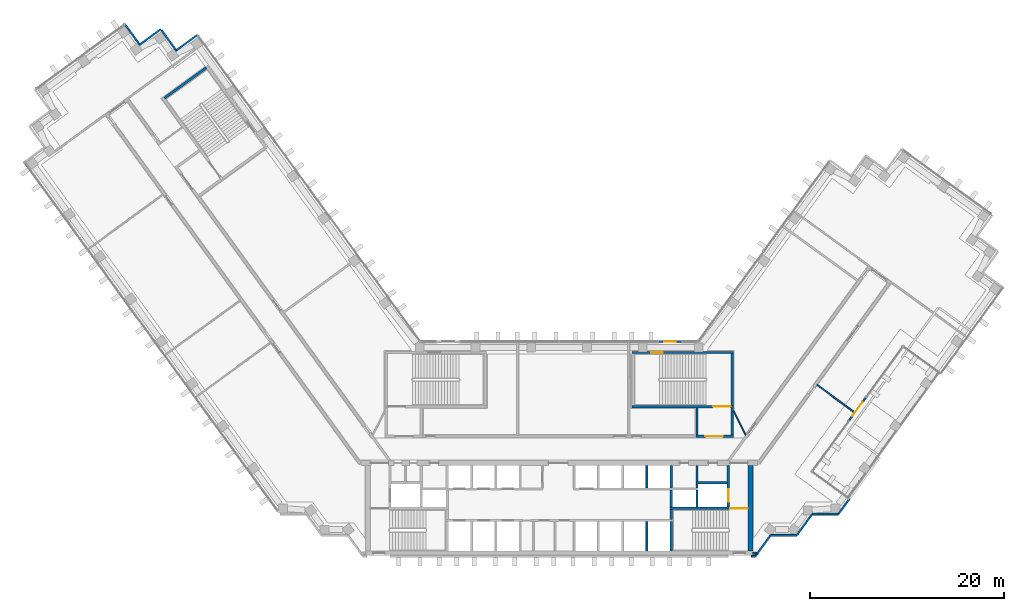
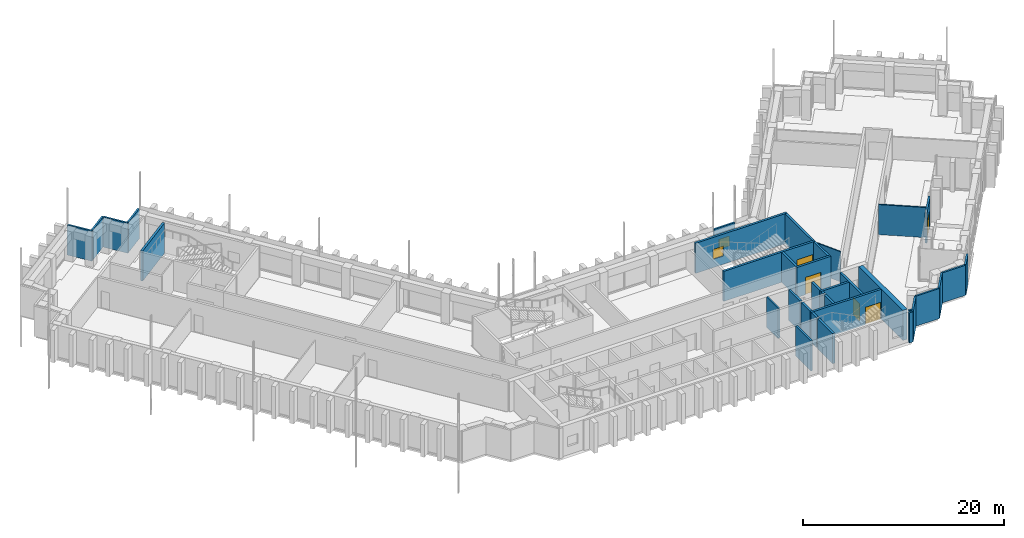
# One storey, part 12 of 17: 35 walls, 5 doors, 2 windows, 7 openings.
"""IFC4 building model written with IfcOpenShell, lengths in metres."""

from ifc_helpers import new_model, si_unit, direction, frame, frame_2d, origin, place, context, subcontext, project, spatial, rectangle, extrude, material, layer, layer_set, type_object, element, fill, save


model = new_model("IFC4")

# Units and contexts
model_context = context("Model", 3, precision=1e-05, world=origin(), true_north=direction((0.0, 1.0)))
body_context = subcontext(model_context, "Body", "Model", "MODEL_VIEW")
ifc_project = project(units=[si_unit("LENGTHUNIT", "METRE"), si_unit("AREAUNIT", "SQUARE_METRE"), si_unit("VOLUMEUNIT", "CUBIC_METRE"), si_unit("PLANEANGLEUNIT", "RADIAN"), si_unit("MASSUNIT", "GRAM", prefix="KILO")], contexts=[model_context])

# Site, building, storey
site_placement = place(None, origin())
site = spatial("IfcSite", under=ifc_project, at=site_placement, CompositionType="ELEMENT")
building_placement = place(site_placement, origin())
building = spatial("IfcBuilding", under=site, at=building_placement, Name="Quipu Civic Tower", CompositionType="ELEMENT")
storey_placement = place(building_placement, frame((0.0, 0.0, 101.0)))
storey = spatial("IfcBuildingStorey", under=building, at=storey_placement, Name="L23", CompositionType="ELEMENT", Elevation=101.0)

# Walls
ifc_material_1 = material(Name="Double gypsum plasterboard with mineral wool")
ifc_layer_1 = layer(ifc_material_1, 0.14990234375)
ifc_layer_set_1 = layer_set([ifc_layer_1], Name="Double gypsum plasterboard with mineral wool")
wall_type_1 = type_object("IfcWallType", Name="Acoustic partition 150 plasterboard", PredefinedType="PARTITIONING", material=ifc_layer_set_1)
wall_1_placement = place(storey_placement, frame((26.618896484375, 6.643310546875, 0.0), z_axis=(0.0, 0.0, 1.0), x_axis=(0.805845547864, -0.592125791524, 0.0)))
element("IfcWall", 1, at=wall_1_placement, inside=storey, type_object=wall_type_1, Name="Partition P03", PredefinedType="PARTITIONING", context=body_context, shape_type="SweptSolid", body=[
    extrude(rectangle(XDim=4.72021484375, YDim=0.14990234375, at=frame_2d((2.360107421875, 0.0))), origin(), (0.0, 0.0, 1.0), 3.64990234375),
])
ifc_material_2 = material(Name="Concrete C70/85", Category="concrete")
ifc_layer_2 = layer(ifc_material_2, 0.25)
ifc_layer_set_2 = layer_set([ifc_layer_2], Name="Concrete C70/85")
wall_type_2 = type_object("IfcWallType", Name="Core wall 250", PredefinedType="SHEAR", material=ifc_layer_set_2)
wall_2_placement = place(storey_placement, frame((11.574951171875, -10.5, 0.0), z_axis=(0.0, 0.0, 1.0), x_axis=(0.0, 1.0, 0.0)))
element("IfcWall", 2, at=wall_2_placement, inside=storey, type_object=wall_type_2, Name="Core wall", PredefinedType="SHEAR", context=body_context, shape_type="SweptSolid", body=[
    extrude(rectangle(XDim=3.0, YDim=0.25, at=frame_2d((1.5, 0.0))), origin(), (0.0, 0.0, 1.0), 3.64990234375),
])
wall_3_placement = place(storey_placement, frame((11.574951171875, -7.25, 0.0), z_axis=(0.0, 0.0, 1.0), x_axis=(0.0, 1.0, 0.0)))
element("IfcWall", 3, at=wall_3_placement, inside=storey, type_object=wall_type_2, Name="Core wall", PredefinedType="SHEAR", context=body_context, shape_type="SweptSolid", body=[
    extrude(rectangle(XDim=1.0, YDim=0.25, at=frame_2d((0.5, 0.0))), origin(), (0.0, 0.0, 1.0), 3.64990234375),
])

# Wall, opening, door
wall_4_placement = place(storey_placement, frame((19.5, -6.125, 0.0), z_axis=(0.0, 0.0, 1.0), x_axis=(-1.0, 0.0, 0.0)))
wall_4 = element("IfcWall", 4, at=wall_4_placement, inside=storey, type_object=wall_type_2, Name="Core wall", PredefinedType="SHEAR", context=body_context, shape_type="SweptSolid", body=[
    extrude(rectangle(XDim=8.050048828125, YDim=0.25, at=frame_2d((4.02490234375, 0.0))), origin(), (0.0, 0.0, 1.0), 3.64990234375),
])
opening_1_placement = place(wall_4_placement, frame((0.050048828125, 0.0, 0.0)))
opening_1 = element("IfcOpeningElement", 5, at=opening_1_placement, cuts=wall_4, Name="Opening CD-05", PredefinedType="OPENING", context=body_context, shape_type="SweptSolid", body=[
    extrude(rectangle(XDim=1.800048828125, YDim=2.10009765625, at=frame_2d((0.89990234375, 1.050048828125))), frame((0.0, 0.135009765625, 0.0), z_axis=(0.0, -1.0, 0.0), x_axis=(1.0, 0.0, 0.0)), (0.0, 0.0, 1.0), 0.27001953125),
])
ifc_material_3 = material(Name="Fire rated steel door", Category="steel")
door_type_1 = type_object("IfcDoorType", Name="Fire door FD90 double 1800 x 2100", OperationType="NOTDEFINED", PredefinedType="DOOR", material=ifc_material_3)
door_1_placement = place(opening_1_placement, origin())
door_1 = element("IfcDoor", 6, at=door_1_placement, inside=storey, type_object=door_type_1, Name="Door", OperationType="DOUBLE_DOOR_SINGLE_SWING", OverallHeight=2.10009765625, OverallWidth=1.800048828125, PredefinedType="DOOR", context=body_context, shape_type="SweptSolid", body=[
    extrude(rectangle(XDim=1.800048828125, YDim=2.10009765625, at=frame_2d((0.89990234375, 1.050048828125))), frame((0.0, 0.02490234375, 0.0), z_axis=(0.0, -1.0, 0.0), x_axis=(1.0, 0.0, 0.0)), (0.0, 0.0, 1.0), 0.050048828125),
])
fill(opening_1, door_1)

# Walls
for number, where, z_axis, x_axis, name in (
    (7, (11.574951171875, -6.0, 0.0), (0.0, 0.0, 1.0), (0.0, 1.0, 0.0), "Core wall"),
    (8, (14.22509765625, -6.0, 0.0), (0.0, 0.0, 1.0), (0.0, 1.0, 0.0), "Core wall"),
):
    element("IfcWall", number, at=place(storey_placement, frame(where, z_axis=z_axis, x_axis=x_axis)), inside=storey, type_object=wall_type_2, Name=name, PredefinedType="SHEAR", context=body_context, shape_type="SweptSolid", body=[
        extrude(rectangle(XDim=1.75, YDim=0.25, at=frame_2d((0.875, 0.0))), origin(), (0.0, 0.0, 1.0), 3.64990234375),
    ])

# Wall, opening, door
wall_5_placement = place(storey_placement, frame((17.47509765625, -6.0, 0.0), z_axis=(0.0, 0.0, 1.0), x_axis=(0.0, 1.0, 0.0)))
wall_5 = element("IfcWall", 9, at=wall_5_placement, inside=storey, type_object=wall_type_2, Name="Core wall", PredefinedType="SHEAR", context=body_context, shape_type="SweptSolid", body=[
    extrude(rectangle(XDim=4.300048828125, YDim=0.25, at=frame_2d((2.14990234375, 0.0))), origin(), (0.0, 0.0, 1.0), 3.64990234375),
])
opening_2_placement = place(wall_5_placement, frame((0.550048828125, 0.0, 0.0)))
opening_2 = element("IfcOpeningElement", 10, at=opening_2_placement, cuts=wall_5, Name="Opening LD-FF2", PredefinedType="OPENING", context=body_context, shape_type="SweptSolid", body=[
    extrude(rectangle(XDim=1.300048828125, YDim=2.10009765625, at=frame_2d((0.64990234375, 1.050048828125))), frame((0.0, 0.135009765625, 0.0), z_axis=(0.0, -1.0, 0.0), x_axis=(1.0, 0.0, 0.0)), (0.0, 0.0, 1.0), 0.27001953125),
])
ifc_material_4 = material(Name="Stainless steel", Category="steel")
door_type_2 = type_object("IfcDoorType", Name="Lift landing door 1300 x 2100", OperationType="DOUBLE_DOOR_SLIDING", PredefinedType="DOOR", material=ifc_material_4)
door_2_placement = place(opening_2_placement, origin())
door_2 = element("IfcDoor", 11, at=door_2_placement, inside=storey, type_object=door_type_2, Name="Landing door FF2", OperationType="DOUBLE_DOOR_SLIDING", OverallHeight=2.10009765625, OverallWidth=1.300048828125, PredefinedType="DOOR", context=body_context, shape_type="SweptSolid", body=[
    extrude(rectangle(XDim=1.300048828125, YDim=2.10009765625, at=frame_2d((0.64990234375, 1.050048828125))), frame((0.0, 0.02490234375, 0.0), z_axis=(0.0, -1.0, 0.0), x_axis=(1.0, 0.0, 0.0)), (0.0, 0.0, 1.0), 0.050048828125),
])
fill(opening_2, door_2)

# Walls
wall_6_placement = place(storey_placement, frame((11.574951171875, -4.0, 0.0), z_axis=(0.0, 0.0, 1.0), x_axis=(0.0, 1.0, 0.0)))
element("IfcWall", 12, at=wall_6_placement, inside=storey, type_object=wall_type_2, Name="Core wall", PredefinedType="SHEAR", context=body_context, shape_type="SweptSolid", body=[
    extrude(rectangle(XDim=2.300048828125, YDim=0.25, at=frame_2d((1.14990234375, 0.0))), origin(), (0.0, 0.0, 1.0), 3.64990234375),
])
wall_7_placement = place(storey_placement, frame((14.22509765625, -4.0, 0.0), z_axis=(0.0, 0.0, 1.0), x_axis=(0.0, 1.0, 0.0)))
element("IfcWall", 13, at=wall_7_placement, inside=storey, type_object=wall_type_2, Name="Core wall", PredefinedType="SHEAR", context=body_context, shape_type="SweptSolid", body=[
    extrude(rectangle(XDim=0.39990234375, YDim=0.25, at=frame_2d((0.199951171875, 0.0))), origin(), (0.0, 0.0, 1.0), 3.64990234375),
])
wall_8_placement = place(storey_placement, frame((14.10009765625, -3.47509765625, 0.0), z_axis=(0.0, 0.0, 1.0), x_axis=(1.0, 0.0, 0.0)))
element("IfcWall", 14, at=wall_8_placement, inside=storey, type_object=wall_type_2, Name="Core wall", PredefinedType="SHEAR", context=body_context, shape_type="SweptSolid", body=[
    extrude(rectangle(XDim=3.25, YDim=0.25, at=frame_2d((1.625, 0.0))), origin(), (0.0, 0.0, 1.0), 3.64990234375),
])
wall_9_placement = place(storey_placement, frame((14.22509765625, -3.35009765625, 0.0), z_axis=(0.0, 0.0, 1.0), x_axis=(0.0, 1.0, 0.0)))
element("IfcWall", 15, at=wall_9_placement, inside=storey, type_object=wall_type_2, Name="Core wall", PredefinedType="SHEAR", context=body_context, shape_type="SweptSolid", body=[
    extrude(rectangle(XDim=1.650146484375, YDim=0.25, at=frame_2d((0.8251953125, 0.0))), origin(), (0.0, 0.0, 1.0), 3.64990234375),
])

# Wall, opening, door
wall_10_placement = place(storey_placement, frame((14.10009765625, 1.324951171875, 0.0), z_axis=(0.0, 0.0, 1.0), x_axis=(1.0, 0.0, 0.0)))
wall_10 = element("IfcWall", 16, at=wall_10_placement, inside=storey, type_object=wall_type_2, Name="Core wall", PredefinedType="SHEAR", context=body_context, shape_type="SweptSolid", body=[
    extrude(rectangle(XDim=3.89990234375, YDim=0.25, at=frame_2d((1.949951171875, 0.0))), origin(), (0.0, 0.0, 1.0), 3.64990234375),
])
opening_3_placement = place(wall_10_placement, frame((1.0, 0.0, 0.0)))
opening_3 = element("IfcOpeningElement", 17, at=opening_3_placement, cuts=wall_10, Name="Opening CD-17", PredefinedType="OPENING", context=body_context, shape_type="SweptSolid", body=[
    extrude(rectangle(XDim=1.800048828125, YDim=2.10009765625, at=frame_2d((0.89990234375, 1.050048828125))), frame((0.0, 0.135009765625, 0.0), z_axis=(0.0, -1.0, 0.0), x_axis=(1.0, 0.0, 0.0)), (0.0, 0.0, 1.0), 0.27001953125),
])
door_3_placement = place(opening_3_placement, origin())
door_3 = element("IfcDoor", 18, at=door_3_placement, inside=storey, type_object=door_type_1, Name="Lobby door", OperationType="DOUBLE_DOOR_SINGLE_SWING", OverallHeight=2.10009765625, OverallWidth=1.800048828125, PredefinedType="DOOR", context=body_context, shape_type="SweptSolid", body=[
    extrude(rectangle(XDim=1.800048828125, YDim=2.10009765625, at=frame_2d((0.89990234375, 1.050048828125))), frame((0.0, 0.02490234375, 0.0), z_axis=(0.0, -1.0, 0.0), x_axis=(1.0, 0.0, 0.0)), (0.0, 0.0, 1.0), 0.050048828125),
])
fill(opening_3, door_3)

# Walls
for number, where, z_axis, x_axis, name in (
    (19, (14.22509765625, 1.449951171875, 0.0), (0.0, 0.0, 1.0), (0.0, 1.0, 0.0), "Core wall"),
    (20, (17.875, 1.449951171875, 0.0), (0.0, 0.0, 1.0), (0.0, 1.0, 0.0), "Core wall"),
):
    element("IfcWall", number, at=place(storey_placement, frame(where, z_axis=z_axis, x_axis=x_axis)), inside=storey, type_object=wall_type_2, Name=name, PredefinedType="SHEAR", context=body_context, shape_type="SweptSolid", body=[
        extrude(rectangle(XDim=2.800048828125, YDim=0.25, at=frame_2d((1.39990234375, 0.0))), origin(), (0.0, 0.0, 1.0), 3.64990234375),
    ])

# Wall, opening, door
wall_11_placement = place(storey_placement, frame((7.5, 4.375, 0.0), z_axis=(0.0, 0.0, 1.0), x_axis=(1.0, 0.0, 0.0)))
wall_11 = element("IfcWall", 21, at=wall_11_placement, inside=storey, type_object=wall_type_2, Name="Core wall", PredefinedType="SHEAR", context=body_context, shape_type="SweptSolid", body=[
    extrude(rectangle(XDim=10.5, YDim=0.25, at=frame_2d((5.25, 0.0))), origin(), (0.0, 0.0, 1.0), 3.64990234375),
])
opening_4_placement = place(wall_11_placement, frame((8.39990234375, 0.0, 0.0)))
opening_4 = element("IfcOpeningElement", 22, at=opening_4_placement, cuts=wall_11, Name="Opening CD-18", PredefinedType="OPENING", context=body_context, shape_type="SweptSolid", body=[
    extrude(rectangle(XDim=1.800048828125, YDim=2.10009765625, at=frame_2d((0.89990234375, 1.050048828125))), frame((0.0, 0.135009765625, 0.0), z_axis=(0.0, -1.0, 0.0), x_axis=(1.0, 0.0, 0.0)), (0.0, 0.0, 1.0), 0.27001953125),
])
door_4_placement = place(opening_4_placement, origin())
door_4 = element("IfcDoor", 23, at=door_4_placement, inside=storey, type_object=door_type_1, Name="Door", OperationType="DOUBLE_DOOR_SINGLE_SWING", OverallHeight=2.10009765625, OverallWidth=1.800048828125, PredefinedType="DOOR", context=body_context, shape_type="SweptSolid", body=[
    extrude(rectangle(XDim=1.800048828125, YDim=2.10009765625, at=frame_2d((0.89990234375, 1.050048828125))), frame((0.0, 0.02490234375, 0.0), z_axis=(0.0, -1.0, 0.0), x_axis=(1.0, 0.0, 0.0)), (0.0, 0.0, 1.0), 0.050048828125),
])
fill(opening_4, door_4)

# Wall
wall_12_placement = place(storey_placement, frame((17.875, 4.5, 0.0), z_axis=(0.0, 0.0, 1.0), x_axis=(0.0, 1.0, 0.0)))
element("IfcWall", 24, at=wall_12_placement, inside=storey, type_object=wall_type_2, Name="Core wall", PredefinedType="SHEAR", context=body_context, shape_type="SweptSolid", body=[
    extrude(rectangle(XDim=5.35009765625, YDim=0.25, at=frame_2d((2.675048828125, 0.0))), origin(), (0.0, 0.0, 1.0), 3.64990234375),
])

# Wall, opening, window
wall_13_placement = place(storey_placement, frame((7.5, 9.97509765625, 0.0), z_axis=(0.0, 0.0, 1.0), x_axis=(1.0, 0.0, 0.0)))
wall_13 = element("IfcWall", 25, at=wall_13_placement, inside=storey, type_object=wall_type_2, Name="Core wall", PredefinedType="SHEAR", context=body_context, shape_type="SweptSolid", body=[
    extrude(rectangle(XDim=10.5, YDim=0.25, at=frame_2d((5.25, 0.0))), origin(), (0.0, 0.0, 1.0), 3.64990234375),
])
opening_5_placement = place(wall_13_placement, frame((2.0, 0.0, 1.0)))
opening_5 = element("IfcOpeningElement", 26, at=opening_5_placement, cuts=wall_13, Name="Opening SV-4", PredefinedType="OPENING", context=body_context, shape_type="SweptSolid", body=[
    extrude(rectangle(XDim=1.199951171875, YDim=1.199951171875, at=frame_2d((0.60009765625, 0.60009765625))), frame((0.0, 0.135009765625, 0.0), z_axis=(0.0, -1.0, 0.0), x_axis=(1.0, 0.0, 0.0)), (0.0, 0.0, 1.0), 0.27001953125),
])
ifc_material_5 = material(Name="Aluminium louvre", Category="aluminium")
window_type_1 = type_object("IfcWindowType", Name="Stair ventilation louvre 1200 x 1200", PartitioningType="SINGLE_PANEL", PredefinedType="WINDOW", material=ifc_material_5)
window_1_placement = place(opening_5_placement, origin())
window_1 = element("IfcWindow", 27, at=window_1_placement, inside=storey, type_object=window_type_1, Name="Stair ventilation opening", OverallHeight=1.199951171875, OverallWidth=1.199951171875, PartitioningType="SINGLE_PANEL", PredefinedType="WINDOW", context=body_context, shape_type="SweptSolid", body=[
    extrude(rectangle(XDim=1.199951171875, YDim=1.199951171875, at=frame_2d((0.60009765625, 0.60009765625))), frame((0.0, 0.030029296875, 0.0), z_axis=(0.0, -1.0, 0.0), x_axis=(1.0, 0.0, 0.0)), (0.0, 0.0, 1.0), 0.06005859375),
])
fill(opening_5, window_1)

# Walls
wall_14_placement = place(storey_placement, frame((-36.43896484375, 39.384033203125, 0.0), z_axis=(0.0, 0.0, 1.0), x_axis=(-0.809020161303, -0.587780893365, 0.0)))
element("IfcWall", 28, at=wall_14_placement, inside=storey, type_object=wall_type_2, Name="Core wall", PredefinedType="SHEAR", context=body_context, shape_type="SweptSolid", body=[
    extrude(rectangle(XDim=5.349853515625, YDim=0.25, at=frame_2d((2.6748046875, 0.0))), origin(), (0.0, 0.0, 1.0), 3.64990234375),
])
ifc_material_6 = material(Name="Concrete C70/85", Category="concrete")
ifc_layer_3 = layer(ifc_material_6, 0.5)
ifc_layer_set_3 = layer_set([ifc_layer_3], Name="Concrete C70/85")
wall_type_3 = type_object("IfcWallType", Name="Core wall 500", PredefinedType="SHEAR", material=ifc_layer_set_3)
wall_15_placement = place(storey_placement, frame((19.75, -10.5, 0.0), z_axis=(0.0, 0.0, 1.0), x_axis=(0.0, 1.0, 0.0)))
element("IfcWall", 29, at=wall_15_placement, inside=storey, type_object=wall_type_3, Name="Core wall", PredefinedType="SHEAR", context=body_context, shape_type="SweptSolid", body=[
    extrude(rectangle(XDim=8.800048828125, YDim=0.5, at=frame_2d((4.39990234375, 0.0))), origin(), (0.0, 0.0, 1.0), 3.64990234375),
])
ifc_material_7 = material(Name="Gypsum plasterboard on light gauge framing")
ifc_layer_4 = layer(ifc_material_7, 0.1201171875)
ifc_layer_set_4 = layer_set([ifc_layer_4], Name="Gypsum plasterboard on light gauge framing")
wall_type_4 = type_object("IfcWallType", Name="Partition 120 plasterboard", PredefinedType="PARTITIONING", material=ifc_layer_set_4)
wall_16_placement = place(storey_placement, frame((18.0, 3.925048828125, 0.0), z_axis=(0.0, 0.0, 1.0), x_axis=(0.453950796792, -0.891026752736, 0.0)))
element("IfcWall", 30, at=wall_16_placement, inside=storey, type_object=wall_type_4, Name="Partition P13", PredefinedType="PARTITIONING", context=body_context, shape_type="SweptSolid", body=[
    extrude(rectangle(XDim=2.77783203125, YDim=0.1201171875, at=frame_2d((1.388916015625, 0.0))), origin(), (0.0, 0.0, 1.0), 3.64990234375),
])
ifc_material_8 = material(Name="Precast concrete C40/50", Category="concrete")
wall_type_5 = type_object("IfcWallType", Name="Precast cladding wall", PredefinedType="SOLIDWALL", material=ifc_material_8)
wall_17_placement = place(storey_placement, frame((24.533203125, -8.90869140625, 0.0), z_axis=(0.0, 0.0, 1.0), x_axis=(0.587720002413, 0.809064397168, 0.0)))
element("IfcWall", 31, at=wall_17_placement, inside=storey, type_object=wall_type_5, Name="Precast cladding wall L23 P04", PredefinedType="SOLIDWALL", context=body_context, shape_type="SweptSolid", body=[
    extrude(rectangle(XDim=2.7001953125, YDim=0.199951171875, at=frame_2d((1.35009765625, 0.0))), origin(), (0.0, 0.0, 1.0), 3.64990234375),
])
wall_18_placement = place(storey_placement, frame((26.1298828125, -6.71923828125, 0.0), z_axis=(0.0, 0.0, 1.0), x_axis=(1.0, 0.0, 0.0)))
element("IfcWall", 32, at=wall_18_placement, inside=storey, type_object=wall_type_5, Name="Precast cladding wall L23 P05", PredefinedType="SOLIDWALL", context=body_context, shape_type="SweptSolid", body=[
    extrude(rectangle(XDim=2.699951171875, YDim=0.199951171875, at=frame_2d((1.35009765625, 0.0))), origin(), (0.0, 0.0, 1.0), 3.64990234375),
])
wall_19_placement = place(storey_placement, frame((28.820068359375, -6.72412109375, 0.0), z_axis=(0.0, 0.0, 1.0), x_axis=(0.587785613349, 0.809016732052, 0.0)))
element("IfcWall", 33, at=wall_19_placement, inside=storey, type_object=wall_type_5, Name="Precast cladding wall L23 1", PredefinedType="SOLIDWALL", context=body_context, shape_type="SweptSolid", body=[
    extrude(rectangle(XDim=1.95556640625, YDim=0.199951171875, at=frame_2d((0.977783203125, 0.0))), origin(), (0.0, 0.0, 1.0), 3.64990234375),
])
wall_20_placement = place(storey_placement, frame((-37.352783203125, 42.768310546875, 0.0), z_axis=(0.0, 0.0, 1.0), x_axis=(-0.809033161865, -0.587762999008, 0.0)))
element("IfcWall", 34, at=wall_20_placement, inside=storey, type_object=wall_type_5, Name="Precast cladding wall L23 P07", PredefinedType="SOLIDWALL", context=body_context, shape_type="SweptSolid", body=[
    extrude(rectangle(XDim=2.699951171875, YDim=0.199951171875, at=frame_2d((1.35009765625, 0.0))), origin(), (0.0, 0.0, 1.0), 3.64990234375),
])
wall_21_placement = place(storey_placement, frame((-39.488037109375, 41.093505859375, 0.0), z_axis=(0.0, 0.0, 1.0), x_axis=(-0.587806000234, 0.809001919707, 0.0)))
element("IfcWall", 35, at=wall_21_placement, inside=storey, type_object=wall_type_5, Name="Precast cladding wall L23 P08", PredefinedType="SOLIDWALL", context=body_context, shape_type="SweptSolid", body=[
    extrude(rectangle(XDim=2.69970703125, YDim=0.199951171875, at=frame_2d((1.349853515625, 0.0))), origin(), (0.0, 0.0, 1.0), 3.64990234375),
])
for number, where, z_axis, x_axis, name in (
    (36, (-41.1240234375, 43.36572265625, 0.0), (0.0, 0.0, 1.0), (-0.809033161865, -0.587762999008, 0.0), "Precast cladding wall L23 P09"),
    (37, (-43.25927734375, 41.690673828125, 0.0), (0.0, 0.0, 1.0), (-0.587822180636, 0.808990163075, 0.0), "Precast cladding wall L23 P10"),
):
    element("IfcWall", number, at=place(storey_placement, frame(where, z_axis=z_axis, x_axis=x_axis)), inside=storey, type_object=wall_type_5, Name=name, PredefinedType="SOLIDWALL", context=body_context, shape_type="SweptSolid", body=[
        extrude(rectangle(XDim=2.699951171875, YDim=0.199951171875, at=frame_2d((1.35009765625, 0.0))), origin(), (0.0, 0.0, 1.0), 3.64990234375),
    ])
wall_22_placement = place(storey_placement, frame((19.85009765625, -11.087890625, 0.0), z_axis=(0.0, 0.0, 1.0), x_axis=(1.0, 0.0, 0.0)))
element("IfcWall", 38, at=wall_22_placement, inside=storey, type_object=wall_type_5, Name="Precast cladding wall L23 P24", PredefinedType="SOLIDWALL", context=body_context, shape_type="SweptSolid", body=[
    extrude(rectangle(XDim=0.40576171875, YDim=0.199951171875, at=frame_2d((0.202880859375, 0.0))), origin(), (0.0, 0.0, 1.0), 3.64990234375),
])
wall_23_placement = place(storey_placement, frame((20.253173828125, -11.083251953125, 0.0), z_axis=(0.0, 0.0, 1.0), x_axis=(0.587766567315, 0.809030569476, 0.0)))
element("IfcWall", 39, at=wall_23_placement, inside=storey, type_object=wall_type_5, Name="Precast cladding wall L23 P25", PredefinedType="SOLIDWALL", context=body_context, shape_type="SweptSolid", body=[
    extrude(rectangle(XDim=2.687744140625, YDim=0.199951171875, at=frame_2d((1.34375, 0.0))), origin(), (0.0, 0.0, 1.0), 3.64990234375),
])
wall_24_placement = place(storey_placement, frame((21.8427734375, -8.90380859375, 0.0), z_axis=(0.0, 0.0, 1.0), x_axis=(1.0, 0.0, 0.0)))
element("IfcWall", 40, at=wall_24_placement, inside=storey, type_object=wall_type_5, Name="Precast cladding wall L23 P26", PredefinedType="SOLIDWALL", context=body_context, shape_type="SweptSolid", body=[
    extrude(rectangle(XDim=2.699951171875, YDim=0.199951171875, at=frame_2d((1.35009765625, 0.0))), origin(), (0.0, 0.0, 1.0), 3.64990234375),
])

# Wall, opening, window
wall_25_placement = place(storey_placement, frame((12.655029296875, 11.10009765625, 0.0), z_axis=(0.0, 0.0, 1.0), x_axis=(-1.0, 0.0, 0.0)))
wall_25 = element("IfcWall", 41, at=wall_25_placement, inside=storey, type_object=wall_type_5, Name="Vent surround SF-L22-2", PredefinedType="SOLIDWALL", context=body_context, shape_type="SweptSolid", body=[
    extrude(rectangle(XDim=2.3916015625, YDim=0.199951171875, at=frame_2d((1.19580078125, 0.0))), origin(), (0.0, 0.0, 1.0), 3.64990234375),
])
opening_6_placement = place(wall_25_placement, frame((0.595703125, 0.0, 1.0)))
opening_6 = element("IfcOpeningElement", 42, at=opening_6_placement, cuts=wall_25, Name="Opening SF-L22-2", PredefinedType="OPENING", context=body_context, shape_type="SweptSolid", body=[
    extrude(rectangle(XDim=1.199951171875, YDim=1.199951171875, at=frame_2d((0.60009765625, 0.60009765625))), frame((0.0, 0.10986328125, 0.0), z_axis=(0.0, -1.0, 0.0), x_axis=(1.0, 0.0, 0.0)), (0.0, 0.0, 1.0), 0.219970703125),
])
ifc_material_9 = material(Name="Anodised aluminium louvre", Category="aluminium")
window_type_2 = type_object("IfcWindowType", Name="Stair vent louvre window P3", PartitioningType="SINGLE_PANEL", PredefinedType="WINDOW", material=ifc_material_9)
window_2_placement = place(opening_6_placement, origin())
window_2 = element("IfcWindow", 43, at=window_2_placement, inside=storey, type_object=window_type_2, Name="Stair vent louvre SF-L22-2", OverallHeight=1.199951171875, OverallWidth=1.199951171875, PartitioningType="SINGLE_PANEL", PredefinedType="WINDOW", context=body_context, shape_type="SweptSolid", body=[
    extrude(rectangle(XDim=1.199951171875, YDim=1.199951171875, at=frame_2d((0.60009765625, 0.60009765625))), frame((0.0, 0.030029296875, 0.0), z_axis=(0.0, -1.0, 0.0), x_axis=(1.0, 0.0, 0.0)), (0.0, 0.0, 1.0), 0.06005859375),
])
fill(opening_6, window_2)

# Wall
wall_26_placement = place(storey_placement, frame((19.97998046875, -10.75, 0.0), z_axis=(0.0, 0.0, 1.0), x_axis=(1.0, 0.0, 0.0)))
element("IfcWall", 44, at=wall_26_placement, inside=storey, type_object=wall_type_5, Name="Precast cladding return L23 E", PredefinedType="SOLIDWALL", context=body_context, shape_type="SweptSolid", body=[
    extrude(rectangle(XDim=0.41650390625, YDim=0.199951171875, at=frame_2d((0.208251953125, 0.0))), origin(), (0.0, 0.0, 1.0), 3.64990234375),
])

# Wall, opening, door
ifc_material_10 = material(Name="Precast concrete C40/50", Category="concrete")
wall_type_6 = type_object("IfcWallType", Name="Precast door surround", PredefinedType="SOLIDWALL", material=ifc_material_10)
wall_27_placement = place(storey_placement, frame((31.6689453125, 5.342529296875, 0.0), z_axis=(0.0, 0.0, 1.0), x_axis=(-0.58782869016, -0.808985433135, 0.0)))
wall_27 = element("IfcWall", 45, at=wall_27_placement, inside=storey, type_object=wall_type_6, Name="Door surround ED-L23-1", PredefinedType="SOLIDWALL", context=body_context, shape_type="SweptSolid", body=[
    extrude(rectangle(XDim=2.962890625, YDim=0.199951171875, at=frame_2d((1.4814453125, 0.0))), origin(), (0.0, 0.0, 1.0), 3.64990234375),
])
opening_7_placement = place(wall_27_placement, frame((0.58154296875, 0.0, 0.0)))
opening_7 = element("IfcOpeningElement", 46, at=opening_7_placement, cuts=wall_27, Name="Opening ED-L23-1", PredefinedType="OPENING", context=body_context, shape_type="SweptSolid", body=[
    extrude(rectangle(XDim=1.800048828125, YDim=2.39990234375, at=frame_2d((0.89990234375, 1.199951171875))), frame((0.0, 0.10986328125, 0.0), z_axis=(0.0, -1.0, 0.0), x_axis=(1.0, 0.0, 0.0)), (0.0, 0.0, 1.0), 0.219970703125),
])
ifc_material_11 = material(Name="Aluminium framed glazed door", Category="aluminium")
door_type_3 = type_object("IfcDoorType", Name="Terrace door E3", OperationType="DOUBLE_DOOR_SINGLE_SWING", PredefinedType="DOOR", material=ifc_material_11)
door_5_placement = place(opening_7_placement, origin())
door_5 = element("IfcDoor", 47, at=door_5_placement, inside=storey, type_object=door_type_3, Name="E3 door ED-L23-1", OperationType="DOUBLE_DOOR_SINGLE_SWING", OverallHeight=2.39990234375, OverallWidth=1.800048828125, PredefinedType="DOOR", context=body_context, shape_type="SweptSolid", body=[
    extrude(rectangle(XDim=1.800048828125, YDim=2.39990234375, at=frame_2d((0.89990234375, 1.199951171875))), frame((0.0, 0.02490234375, 0.0), z_axis=(0.0, -1.0, 0.0), x_axis=(1.0, 0.0, 0.0)), (0.0, 0.0, 1.0), 0.050048828125),
])
fill(opening_7, door_5)

# Walls
ifc_material_12 = material(Name="Concrete C40/50", Category="concrete")
ifc_layer_5 = layer(ifc_material_12, 0.199951171875)
ifc_layer_set_5 = layer_set([ifc_layer_5], Name="Concrete C40/50")
wall_type_7 = type_object("IfcWallType", Name="Shaft wall 200", PredefinedType="SOLIDWALL", material=ifc_layer_set_5)
wall_28_placement = place(storey_placement, frame((9.050048828125, -10.5, 0.0), z_axis=(0.0, 0.0, 1.0), x_axis=(0.0, 1.0, 0.0)))
element("IfcWall", 48, at=wall_28_placement, inside=storey, type_object=wall_type_7, Name="Shaft wall", PredefinedType="SOLIDWALL", context=body_context, shape_type="SweptSolid", body=[
    extrude(rectangle(XDim=3.0, YDim=0.199951171875, at=frame_2d((1.5, 0.0))), origin(), (0.0, 0.0, 1.0), 3.64990234375),
])
wall_29_placement = place(storey_placement, frame((9.050048828125, -4.0, 0.0), z_axis=(0.0, 0.0, 1.0), x_axis=(0.0, 1.0, 0.0)))
element("IfcWall", 49, at=wall_29_placement, inside=storey, type_object=wall_type_7, Name="Shaft wall", PredefinedType="SOLIDWALL", context=body_context, shape_type="SweptSolid", body=[
    extrude(rectangle(XDim=2.300048828125, YDim=0.199951171875, at=frame_2d((1.14990234375, 0.0))), origin(), (0.0, 0.0, 1.0), 3.64990234375),
])

save(model, "model.ifc")
